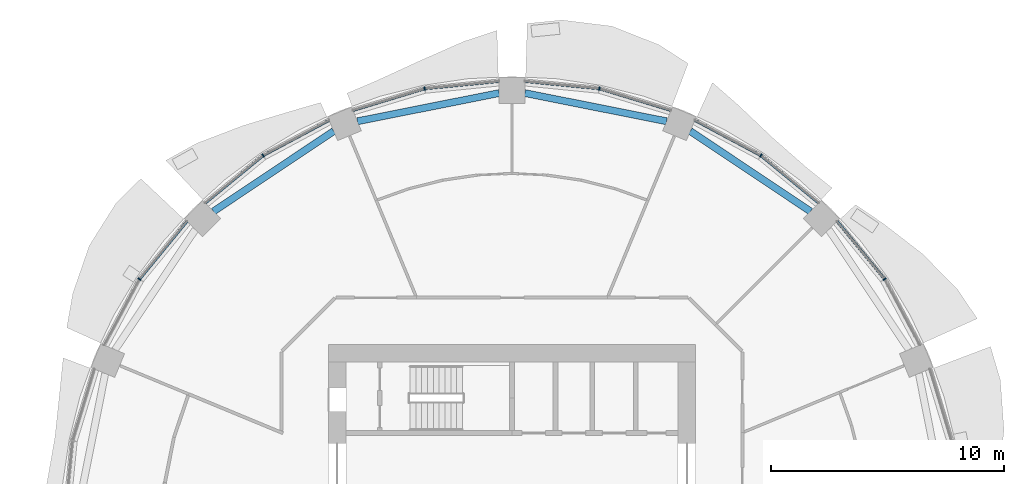
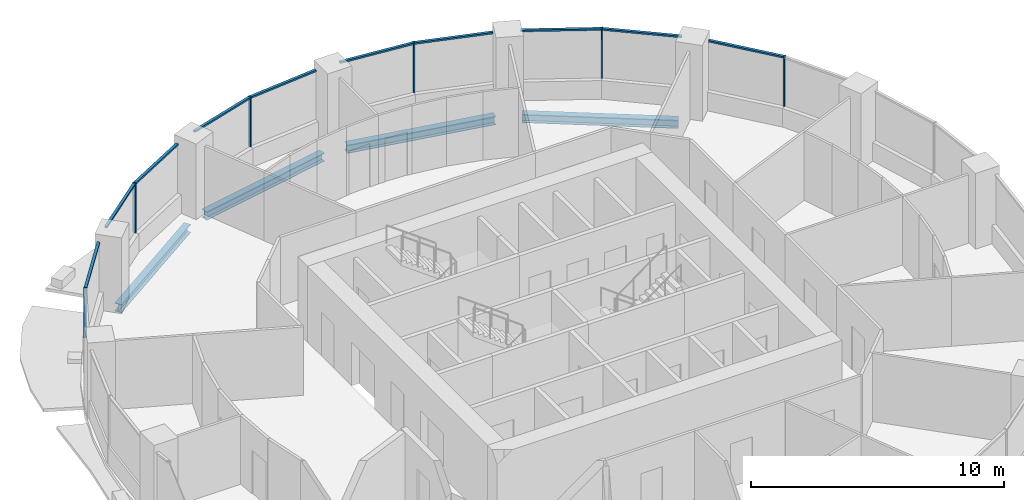
# One storey, part 5 of 14: 16 members, 4 beams, 6 elements without a shape of their own.
"""IFC4 building model written with IfcOpenShell, lengths in metres."""

from ifc_helpers import new_model, si_unit, direction, frame, origin, origin_2d, place, context, subcontext, project, spatial, rectangle, i_section, extrude, material, material_profile, profile_set, type_object, element, aggregate, save


model = new_model("IFC4")

# Units and contexts
model_context = context("Model", 3, precision=1e-05, world=origin(), true_north=direction((0.0, 1.0)))
body_context = subcontext(model_context, "Body", "Model", "MODEL_VIEW")
ifc_project = project(units=[si_unit("LENGTHUNIT", "METRE"), si_unit("AREAUNIT", "SQUARE_METRE"), si_unit("VOLUMEUNIT", "CUBIC_METRE"), si_unit("PLANEANGLEUNIT", "RADIAN"), si_unit("MASSUNIT", "GRAM", prefix="KILO")], contexts=[model_context])

# Site, building, storey
site_placement = place(None, origin())
site = spatial("IfcSite", under=ifc_project, at=site_placement, CompositionType="ELEMENT")
building_placement = place(site_placement, origin())
building = spatial("IfcBuilding", under=site, at=building_placement, Name="Polderwave Tower", CompositionType="ELEMENT")
storey_placement = place(building_placement, frame((0.0, 0.0, 91.0)))
storey = spatial("IfcBuildingStorey", under=building, at=storey_placement, Name="L23", CompositionType="ELEMENT", Elevation=91.0)

# Curtain wall, member
ifc_material_1 = material(Name="Aluminium 6063-T6 and glass", Category="aluminium")
curtain_wall_type = type_object("IfcCurtainWallType", Name="Growing floor ribbon glazing wall", PredefinedType="NOTDEFINED", material=ifc_material_1)
curtain_wall_1_placement = place(storey_placement, origin())
curtain_wall_1 = element("IfcCurtainWall", 1, at=curtain_wall_1_placement, inside=storey, type_object=curtain_wall_type, Name="CW2 L23 01", PredefinedType="NOTDEFINED")
ifc_material_2 = material(Name="Aluminium 6063-T6", Category="aluminium")
ifc_material_profile_1 = material_profile(ifc_material_2, rectangle(XDim=0.14990234375, YDim=0.06005859375, at=origin_2d()), Name="AL 60x150")
ifc_profile_set_1 = profile_set([ifc_material_profile_1], Name="Aluminium 6063-T6")
member_type_1 = type_object("IfcMemberType", Name="Growing floor ribbon glazing mullion 60x150", PredefinedType="MULLION", material=ifc_profile_set_1)
member_1_placement = place(storey_placement, frame((15.964111328125, 10.6669921875, 0.89990234375), z_axis=(0.0, 0.0, 1.0), x_axis=(-0.831444400469, -0.555607963342, 0.0)))
member_1 = element("IfcMember", 2, at=member_1_placement, type_object=member_type_1, Name="CW2 mullion 1", PredefinedType="MULLION", context=body_context, shape_type="SweptSolid", body=[
    extrude(rectangle(XDim=0.14990234375, YDim=0.06005859375, at=origin_2d()), origin(), (0.0, 0.0, 1.0), 2.400146484375),
])

curtain_wall_2_placement = place(storey_placement, origin())
curtain_wall_2 = element("IfcCurtainWall", 3, at=curtain_wall_2_placement, inside=storey, type_object=curtain_wall_type, Name="CW2 L23 02", PredefinedType="NOTDEFINED")
member_2_placement = place(storey_placement, frame((10.6669921875, 15.964111328125, 0.89990234375), z_axis=(0.0, 0.0, 1.0), x_axis=(-0.555607963342, -0.831444400469, 0.0)))
member_2 = element("IfcMember", 4, at=member_2_placement, type_object=member_type_1, Name="CW2 mullion 1", PredefinedType="MULLION", context=body_context, shape_type="SweptSolid", body=[
    extrude(rectangle(XDim=0.14990234375, YDim=0.06005859375, at=origin_2d()), origin(), (0.0, 0.0, 1.0), 2.400146484375),
])

curtain_wall_3_placement = place(storey_placement, origin())
curtain_wall_3 = element("IfcCurtainWall", 5, at=curtain_wall_3_placement, inside=storey, type_object=curtain_wall_type, Name="CW2 L23 03", PredefinedType="NOTDEFINED")
member_3_placement = place(storey_placement, frame((3.74609375, 18.8310546875, 0.89990234375), z_axis=(0.0, 0.0, 1.0), x_axis=(-0.195097169184, -0.980783918392, 0.0)))
member_3 = element("IfcMember", 6, at=member_3_placement, type_object=member_type_1, Name="CW2 mullion 1", PredefinedType="MULLION", context=body_context, shape_type="SweptSolid", body=[
    extrude(rectangle(XDim=0.14990234375, YDim=0.06005859375, at=origin_2d()), origin(), (0.0, 0.0, 1.0), 2.400146484375),
])

curtain_wall_4_placement = place(storey_placement, origin())
curtain_wall_4 = element("IfcCurtainWall", 7, at=curtain_wall_4_placement, inside=storey, type_object=curtain_wall_type, Name="CW2 L23 04", PredefinedType="NOTDEFINED")
member_4_placement = place(storey_placement, frame((-3.74609375, 18.8310546875, 0.89990234375), z_axis=(0.0, 0.0, 1.0), x_axis=(0.195097169184, -0.980783918392, 0.0)))
member_4 = element("IfcMember", 8, at=member_4_placement, type_object=member_type_1, Name="CW2 mullion 1", PredefinedType="MULLION", context=body_context, shape_type="SweptSolid", body=[
    extrude(rectangle(XDim=0.14990234375, YDim=0.06005859375, at=origin_2d()), origin(), (0.0, 0.0, 1.0), 2.400146484375),
])

curtain_wall_5_placement = place(storey_placement, origin())
curtain_wall_5 = element("IfcCurtainWall", 9, at=curtain_wall_5_placement, inside=storey, type_object=curtain_wall_type, Name="CW2 L23 05", PredefinedType="NOTDEFINED")
member_5_placement = place(storey_placement, frame((-10.6669921875, 15.964111328125, 0.89990234375), z_axis=(0.0, 0.0, 1.0), x_axis=(0.555607963342, -0.831444400469, 0.0)))
member_5 = element("IfcMember", 10, at=member_5_placement, type_object=member_type_1, Name="CW2 mullion 1", PredefinedType="MULLION", context=body_context, shape_type="SweptSolid", body=[
    extrude(rectangle(XDim=0.14990234375, YDim=0.06005859375, at=origin_2d()), origin(), (0.0, 0.0, 1.0), 2.400146484375),
])

curtain_wall_6_placement = place(storey_placement, origin())
curtain_wall_6 = element("IfcCurtainWall", 11, at=curtain_wall_6_placement, inside=storey, type_object=curtain_wall_type, Name="CW2 L23 06", PredefinedType="NOTDEFINED")
member_6_placement = place(storey_placement, frame((-15.964111328125, 10.6669921875, 0.89990234375), z_axis=(0.0, 0.0, 1.0), x_axis=(0.831444400469, -0.555607963342, 0.0)))
member_6 = element("IfcMember", 12, at=member_6_placement, type_object=member_type_1, Name="CW2 mullion 1", PredefinedType="MULLION", context=body_context, shape_type="SweptSolid", body=[
    extrude(rectangle(XDim=0.14990234375, YDim=0.06005859375, at=origin_2d()), origin(), (0.0, 0.0, 1.0), 2.400146484375),
])

# Member
ifc_material_profile_2 = material_profile(ifc_material_2, rectangle(XDim=0.1201171875, YDim=0.080078125, at=origin_2d()), Name="AL 80x120")
ifc_profile_set_2 = profile_set([ifc_material_profile_2], Name="Aluminium 6063-T6")
member_type_2 = type_object("IfcMemberType", Name="Growing floor ribbon glazing transom 80x120", PredefinedType="USERDEFINED", material=ifc_profile_set_2)
member_7_placement = place(storey_placement, frame((15.945068359375, 10.690185546875, 3.260009765625), z_axis=(-0.634436573251, 0.772974924898, 0.0), x_axis=(-0.772974924898, -0.634436573251, 0.0)))
member_7 = element("IfcMember", 13, at=member_7_placement, type_object=member_type_2, Name="CW2 transom 2", ObjectType="TRANSOM", PredefinedType="USERDEFINED", context=body_context, shape_type="SweptSolid", body=[
    extrude(rectangle(XDim=0.1201171875, YDim=0.080078125, at=origin_2d()), origin(), (0.0, 0.0, 1.0), 3.180908203125),
])

aggregate(curtain_wall_1, [member_1, member_7])

member_8_placement = place(storey_placement, frame((13.14892578125, 13.927001953125, 3.260009765625), z_axis=(-0.772974924898, 0.634436573251, 0.0), x_axis=(-0.634436573251, -0.772974924898, 0.0)))
member_8 = element("IfcMember", 14, at=member_8_placement, type_object=member_type_2, Name="CW2 transom 1", ObjectType="TRANSOM", PredefinedType="USERDEFINED", context=body_context, shape_type="SweptSolid", body=[
    extrude(rectangle(XDim=0.1201171875, YDim=0.080078125, at=origin_2d()), origin(), (0.0, 0.0, 1.0), 3.180908203125),
])

member_9_placement = place(storey_placement, frame((10.640380859375, 15.97802734375, 3.260009765625), z_axis=(-0.881859599323, 0.471512085827, 0.0), x_axis=(-0.471512085827, -0.881859599323, 0.0)))
member_9 = element("IfcMember", 15, at=member_9_placement, type_object=member_type_2, Name="CW2 transom 2", ObjectType="TRANSOM", PredefinedType="USERDEFINED", context=body_context, shape_type="SweptSolid", body=[
    extrude(rectangle(XDim=0.1201171875, YDim=0.080078125, at=origin_2d()), origin(), (0.0, 0.0, 1.0), 3.18115234375),
])

aggregate(curtain_wall_2, [member_2, member_8, member_9])

member_10_placement = place(storey_placement, frame((6.819091796875, 17.89892578125, 3.260009765625), z_axis=(-0.95695596309, 0.290233155766, 0.0), x_axis=(-0.290233155766, -0.95695596309, 0.0)))
member_10 = element("IfcMember", 16, at=member_10_placement, type_object=member_type_2, Name="CW2 transom 1", ObjectType="TRANSOM", PredefinedType="USERDEFINED", context=body_context, shape_type="SweptSolid", body=[
    extrude(rectangle(XDim=0.1201171875, YDim=0.080078125, at=origin_2d()), origin(), (0.0, 0.0, 1.0), 3.181396484375),
])

member_11_placement = place(storey_placement, frame((3.716064453125, 18.833984375, 3.260009765625), z_axis=(-0.995179009769, 0.098075167681, 0.0), x_axis=(-0.098075167681, -0.995179009769, 0.0)))
member_11 = element("IfcMember", 17, at=member_11_placement, type_object=member_type_2, Name="CW2 transom 2", ObjectType="TRANSOM", PredefinedType="USERDEFINED", context=body_context, shape_type="SweptSolid", body=[
    extrude(rectangle(XDim=0.1201171875, YDim=0.080078125, at=origin_2d()), origin(), (0.0, 0.0, 1.0), 3.181396484375),
])

aggregate(curtain_wall_3, [member_3, member_10, member_11])

member_12_placement = place(storey_placement, frame((-0.550048828125, 19.14599609375, 3.260009765625), z_axis=(-0.995179009769, -0.098075167681, 0.0), x_axis=(0.098075167681, -0.995179009769, 0.0)))
member_12 = element("IfcMember", 18, at=member_12_placement, type_object=member_type_2, Name="CW2 transom 1", ObjectType="TRANSOM", PredefinedType="USERDEFINED", context=body_context, shape_type="SweptSolid", body=[
    extrude(rectangle(XDim=0.1201171875, YDim=0.080078125, at=origin_2d()), origin(), (0.0, 0.0, 1.0), 3.181396484375),
])

member_13_placement = place(storey_placement, frame((-3.774658203125, 18.822265625, 3.260009765625), z_axis=(-0.95695596309, -0.290233155766, 0.0), x_axis=(0.290233155766, -0.95695596309, 0.0)))
member_13 = element("IfcMember", 19, at=member_13_placement, type_object=member_type_2, Name="CW2 transom 2", ObjectType="TRANSOM", PredefinedType="USERDEFINED", context=body_context, shape_type="SweptSolid", body=[
    extrude(rectangle(XDim=0.1201171875, YDim=0.080078125, at=origin_2d()), origin(), (0.0, 0.0, 1.0), 3.181396484375),
])

aggregate(curtain_wall_4, [member_4, member_12, member_13])

member_14_placement = place(storey_placement, frame((-7.8349609375, 17.47802734375, 3.260009765625), z_axis=(-0.881859599323, -0.471512085827, 0.0), x_axis=(0.471512085827, -0.881859599323, 0.0)))
member_14 = element("IfcMember", 20, at=member_14_placement, type_object=member_type_2, Name="CW2 transom 1", ObjectType="TRANSOM", PredefinedType="USERDEFINED", context=body_context, shape_type="SweptSolid", body=[
    extrude(rectangle(XDim=0.1201171875, YDim=0.080078125, at=origin_2d()), origin(), (0.0, 0.0, 1.0), 3.18115234375),
])

member_15_placement = place(storey_placement, frame((-10.690185546875, 15.945068359375, 3.260009765625), z_axis=(-0.772974924898, -0.634436573251, 0.0), x_axis=(0.634436573251, -0.772974924898, 0.0)))
member_15 = element("IfcMember", 21, at=member_15_placement, type_object=member_type_2, Name="CW2 transom 2", ObjectType="TRANSOM", PredefinedType="USERDEFINED", context=body_context, shape_type="SweptSolid", body=[
    extrude(rectangle(XDim=0.1201171875, YDim=0.080078125, at=origin_2d()), origin(), (0.0, 0.0, 1.0), 3.180908203125),
])

aggregate(curtain_wall_5, [member_5, member_14, member_15])

member_16_placement = place(storey_placement, frame((-13.927001953125, 13.14892578125, 3.260009765625), z_axis=(-0.634436573251, -0.772974924898, 0.0), x_axis=(0.772974924898, -0.634436573251, 0.0)))
member_16 = element("IfcMember", 22, at=member_16_placement, type_object=member_type_2, Name="CW2 transom 1", ObjectType="TRANSOM", PredefinedType="USERDEFINED", context=body_context, shape_type="SweptSolid", body=[
    extrude(rectangle(XDim=0.1201171875, YDim=0.080078125, at=origin_2d()), origin(), (0.0, 0.0, 1.0), 3.180908203125),
])

aggregate(curtain_wall_6, [member_6, member_16])

# Beams
ifc_material_3 = material(Name="Steel S355", Category="steel")
ifc_material_profile_3 = material_profile(ifc_material_3, i_section(OverallWidth=0.300048828125, OverallDepth=0.39990234375, WebThickness=0.013427734375, FlangeThickness=0.02392578125, at=origin_2d()), Name="HE 400 B")
ifc_profile_set_3 = profile_set([ifc_material_profile_3], Name="Steel S355")
beam_type = type_object("IfcBeamType", Name="RING BEAM HE 400 B", PredefinedType="BEAM", material=ifc_profile_set_3)
for number, where, z_axis, x_axis, name in (
    (23, (12.7919921875, 13.56982421875, -0.550048828125), (-0.831467728736, 0.555573051966, 0.0), (-0.555573051966, -0.831467728736, 0.0), "ST-RB-L23-02"),
    (24, (6.625244140625, 17.43212890625, -0.550048828125), (-0.980783284471, 0.195100355977, 0.0), (-0.195100355977, -0.980783284471, 0.0), "ST-RB-L23-03"),
    (25, (-0.550048828125, 18.640625, -0.550048828125), (-0.980783284471, -0.195100355977, 0.0), (0.195100355977, -0.980783284471, 0.0), "ST-RB-L23-04"),
    (26, (-7.6416015625, 17.01123046875, -0.550048828125), (-0.831467728736, -0.555573051966, 0.0), (0.555573051966, -0.831467728736, 0.0), "ST-RB-L23-05"),
):
    element("IfcBeam", number, at=place(storey_placement, frame(where, z_axis=z_axis, x_axis=x_axis)), inside=storey, type_object=beam_type, Name=name, PredefinedType="BEAM", context=body_context, shape_type="SweptSolid", body=[
        extrude(i_section(OverallWidth=0.300048828125, OverallDepth=0.39990234375, WebThickness=0.013427734375, FlangeThickness=0.02392578125, at=origin_2d()), origin(), (0.0, 0.0, 1.0), 6.1943359375),
    ])

save(model, "model.ifc")
